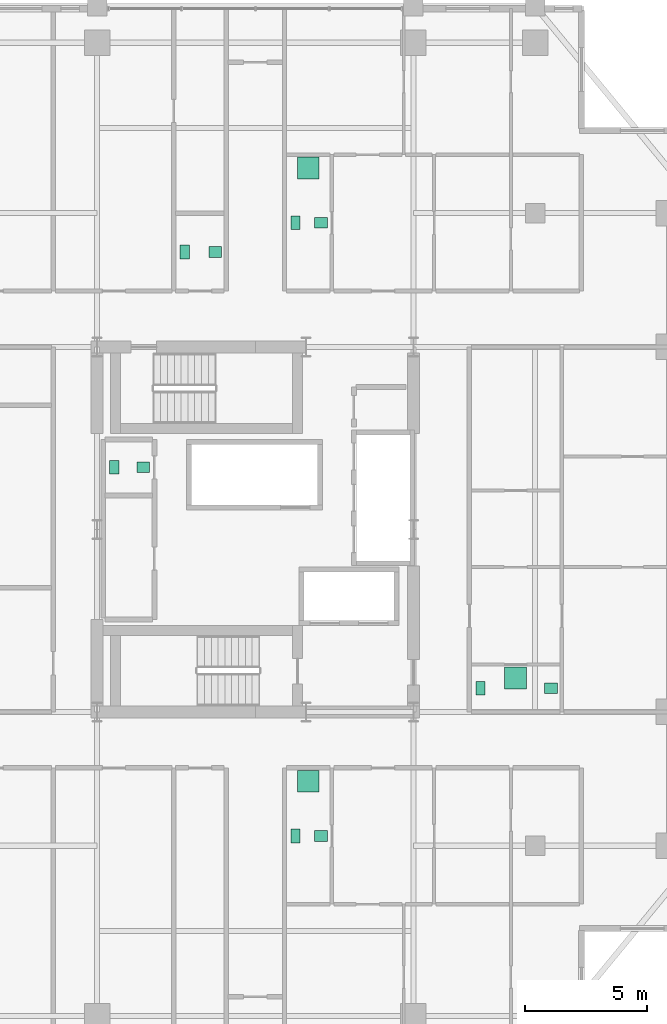
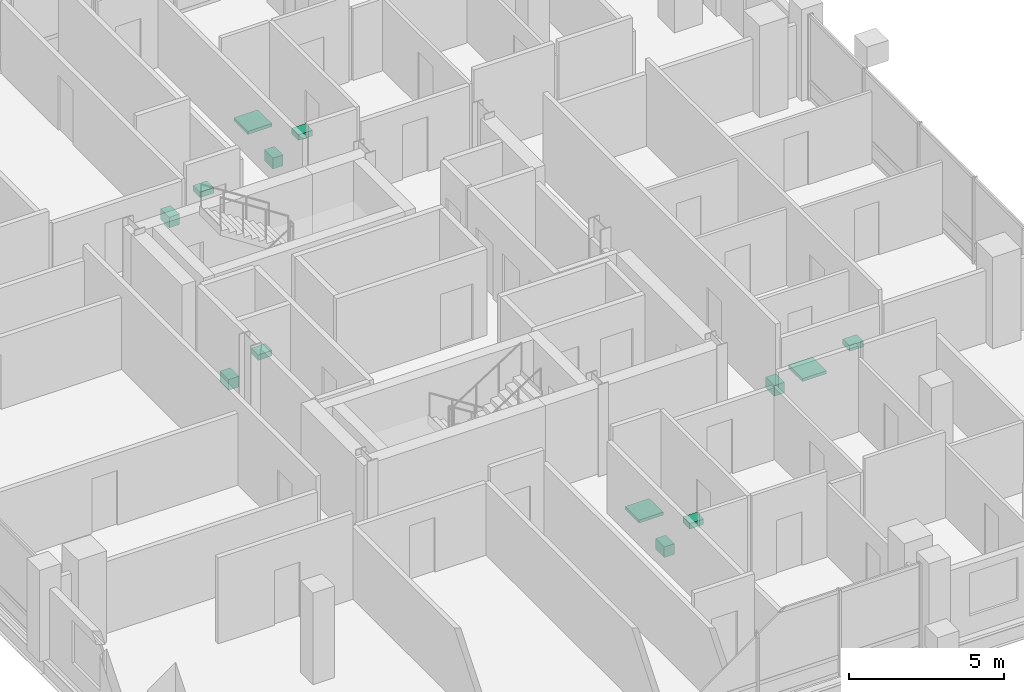
# One storey, part 24 of 24: 13 sanitary terminals.
"""IFC4 building model written with IfcOpenShell, lengths in metres."""

from ifc_helpers import new_model, si_unit, direction, frame, origin, origin_2d, place, context, subcontext, project, spatial, rectangle, extrude, material, type_object, element, save


model = new_model("IFC4")

# Units and contexts
model_context = context("Model", 3, precision=1e-05, world=origin(), true_north=direction((0.0, 1.0)))
body_context = subcontext(model_context, "Body", "Model", "MODEL_VIEW")
ifc_project = project(units=[si_unit("LENGTHUNIT", "METRE"), si_unit("AREAUNIT", "SQUARE_METRE"), si_unit("VOLUMEUNIT", "CUBIC_METRE"), si_unit("PLANEANGLEUNIT", "RADIAN"), si_unit("MASSUNIT", "GRAM", prefix="KILO")], contexts=[model_context])

# Site, building, storey
site_placement = place(None, origin())
site = spatial("IfcSite", under=ifc_project, at=site_placement, CompositionType="ELEMENT")
building_placement = place(site_placement, origin())
building = spatial("IfcBuilding", under=site, at=building_placement, Name="Barlavira Tower and Art Museum", CompositionType="ELEMENT")
storey_placement = place(building_placement, frame((0.0, 0.0, 180.0)))
storey = spatial("IfcBuildingStorey", under=building, at=storey_placement, Name="L46", CompositionType="ELEMENT", Elevation=180.0)

# Sanitary terminals
ifc_material = material(Name="Vitreous glazed ceramic", Category="ceramic")
sanitary_terminal_type_1 = type_object("IfcSanitaryTerminalType", Name="Countertop Ceramic Wash Hand Basin", PredefinedType="WASHHANDBASIN", material=ifc_material)
for number, where, z_axis, x_axis, name in (
    (1, (-4.60009765625, 2.550048828125, 0.740234375), (0.0, 0.0, 1.0), (1.0, 0.0, 0.0), "L46-C-REC1W Wash Basin"),
    (2, (2.699951171875, -12.60009765625, 0.740234375), (0.0, 0.0, 1.0), (1.0, 0.0, 0.0), "L46-SE1-BTH1 Wash Basin"),
    (3, (-1.64990234375, 11.39990234375, 0.740234375), (0.0, 0.0, 1.0), (1.0, 0.0, 0.0), "L46-NW-SWC Wash Basin"),
    (4, (2.699951171875, 12.60009765625, 0.740234375), (0.0, 0.0, 1.0), (1.0, 0.0, 0.0), "L46-NE1-BTH1 Wash Basin"),
    (5, (12.14990234375, -6.52490234375, 0.740234375), (0.0, 0.0, 1.0), (1.0, 0.0, 0.0), "L46-E1-BTH1 Wash Basin"),
):
    element("IfcSanitaryTerminal", number, at=place(storey_placement, frame(where, z_axis=z_axis, x_axis=x_axis)), inside=storey, type_object=sanitary_terminal_type_1, Name=name, PredefinedType="WASHHANDBASIN", context=body_context, shape_type="SweptSolid", body=[
        extrude(rectangle(XDim=0.52001953125, YDim=0.43994140625, at=origin_2d()), origin(), (0.0, 0.0, 1.0), 0.219970703125),
    ])
sanitary_terminal_type_2 = type_object("IfcSanitaryTerminalType", Name="Walk-In Thermostatic Rain Shower Unit", PredefinedType="SHOWER", material=ifc_material)
for number, where, z_axis, x_axis, name in (
    (6, (2.175048828125, -10.35009765625, 0.0), (0.0, 0.0, 1.0), (1.0, 0.0, 0.0), "L46-SE1-BTH1 Rain Shower"),
    (7, (2.175048828125, 14.85009765625, 0.0), (0.0, 0.0, 1.0), (1.0, 0.0, 0.0), "L46-NE1-BTH1 Rain Shower"),
    (8, (10.699951171875, -6.10009765625, 0.0), (0.0, 0.0, 1.0), (1.0, 0.0, 0.0), "L46-E1-BTH1 Rain Shower"),
):
    element("IfcSanitaryTerminal", number, at=place(storey_placement, frame(where, z_axis=z_axis, x_axis=x_axis)), inside=storey, type_object=sanitary_terminal_type_2, Name=name, PredefinedType="SHOWER", context=body_context, shape_type="SweptSolid", body=[
        extrude(rectangle(XDim=0.89990234375, YDim=0.89990234375, at=origin_2d()), origin(), (0.0, 0.0, 1.0), 0.1201171875),
    ])
sanitary_terminal_type_3 = type_object("IfcSanitaryTerminalType", Name="Wall-Hung Dual-Flush Vitreous WC Pan", PredefinedType="TOILETPAN", material=ifc_material)
for number, where, z_axis, x_axis, name in (
    (9, (-5.800048828125, 2.550048828125, 0.0), (0.0, 0.0, 1.0), (1.0, 0.0, 0.0), "L46-C-REC1W WC Pan"),
    (10, (1.64990234375, -12.60009765625, 0.0), (0.0, 0.0, 1.0), (1.0, 0.0, 0.0), "L46-SE1-BTH1 WC Pan"),
    (11, (-2.89990234375, 11.39990234375, 0.0), (0.0, 0.0, 1.0), (1.0, 0.0, 0.0), "L46-NW-SWC WC Pan"),
    (12, (1.64990234375, 12.60009765625, 0.0), (0.0, 0.0, 1.0), (1.0, 0.0, 0.0), "L46-NE1-BTH1 WC Pan"),
    (13, (9.25, -6.52490234375, 0.0), (0.0, 0.0, 1.0), (1.0, 0.0, 0.0), "L46-E1-BTH1 WC Pan"),
):
    element("IfcSanitaryTerminal", number, at=place(storey_placement, frame(where, z_axis=z_axis, x_axis=x_axis)), inside=storey, type_object=sanitary_terminal_type_3, Name=name, PredefinedType="TOILETPAN", context=body_context, shape_type="SweptSolid", body=[
        extrude(rectangle(XDim=0.3798828125, YDim=0.56005859375, at=origin_2d()), origin(), (0.0, 0.0, 1.0), 0.419921875),
    ])

save(model, "model.ifc")
